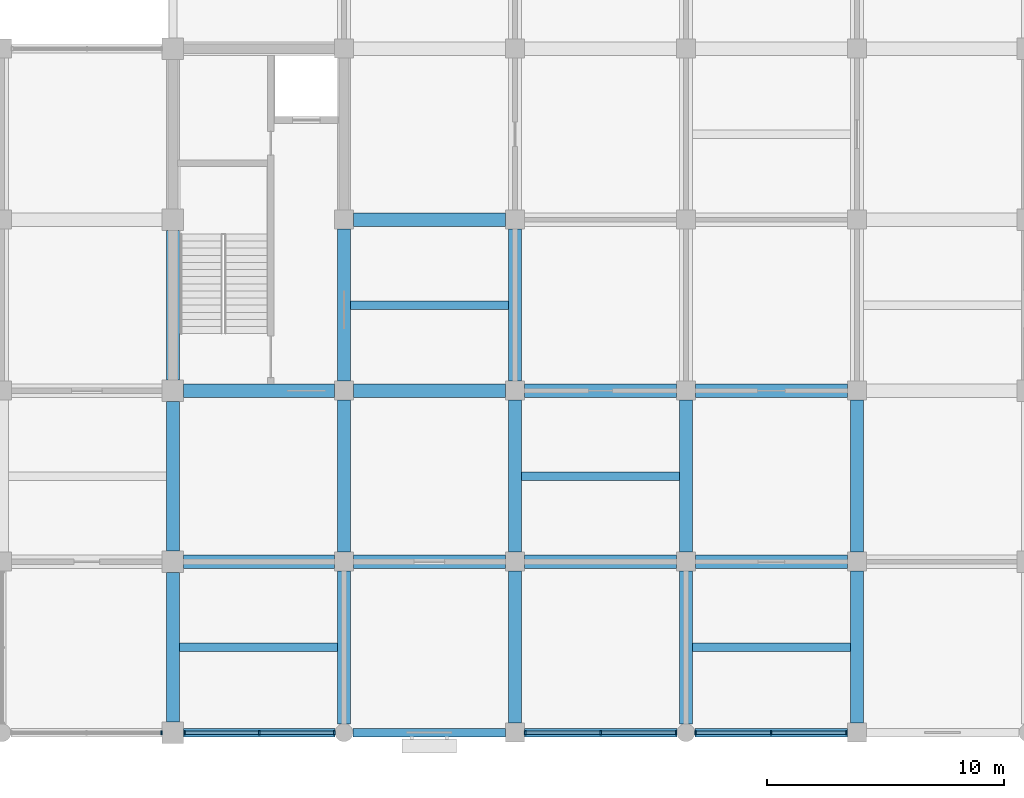
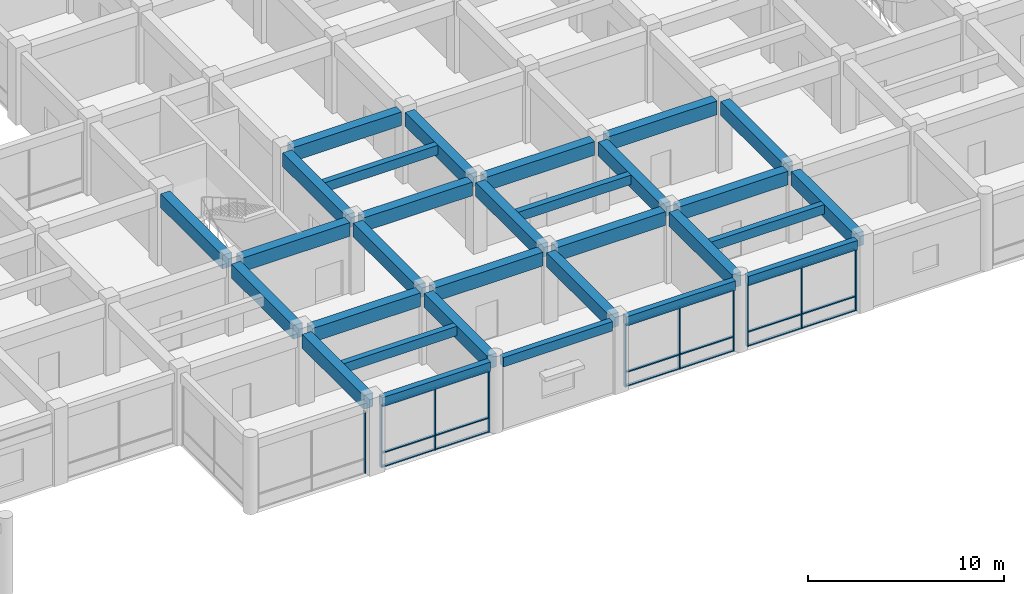
# One storey, part 10 of 75: 30 beams, 28 members, 4 elements without a shape of their own.
"""IFC4 building model written with IfcOpenShell, lengths in metres."""

from ifc_helpers import new_model, si_unit, direction, frame, origin, origin_2d, place, context, subcontext, project, spatial, rectangle, extrude, material, layer, layer_set, material_profile, profile_set, type_object, element, aggregate, save


model = new_model("IFC4")

# Units and contexts
model_context = context("Model", 3, precision=1e-05, world=origin(), true_north=direction((0.0, 1.0)))
body_context = subcontext(model_context, "Body", "Model", "MODEL_VIEW")
ifc_project = project(units=[si_unit("LENGTHUNIT", "METRE"), si_unit("AREAUNIT", "SQUARE_METRE"), si_unit("VOLUMEUNIT", "CUBIC_METRE"), si_unit("PLANEANGLEUNIT", "RADIAN"), si_unit("MASSUNIT", "GRAM", prefix="KILO")], contexts=[model_context])

# Site, building, storey
site_placement = place(None, origin())
site = spatial("IfcSite", under=ifc_project, at=site_placement, CompositionType="ELEMENT")
building_placement = place(site_placement, origin())
building = spatial("IfcBuilding", under=site, at=building_placement, Name="Cendaluz Park School", CompositionType="ELEMENT")
storey_placement = place(building_placement, frame((0.0, 0.0, 4.800048828125)))
storey = spatial("IfcBuildingStorey", under=building, at=storey_placement, Name="L01", CompositionType="ELEMENT", Elevation=4.800048828125)

# Beams
ifc_material_1 = material(Name="Concrete C40/50", Category="concrete")
ifc_material_profile_1 = material_profile(ifc_material_1, rectangle(XDim=0.550048828125, YDim=0.85009765625, at=origin_2d()), Name="RC 550x850", Category="concrete")
ifc_profile_set_1 = profile_set([ifc_material_profile_1], Name="Concrete C40/50")
beam_type_1 = type_object("IfcBeamType", Name="BM-RC01", PredefinedType="BEAM", material=ifc_profile_set_1)
for number, where, z_axis, x_axis, name in (
    (1, (65.25, 7.199951171875, 4.0048828125), (1.0, 0.0, 0.0), (0.0, 1.0, 0.0), "BM-L01-BMRC01-0083"),
    (2, (65.25, 14.39990234375, 4.0048828125), (1.0, 0.0, 0.0), (0.0, 1.0, 0.0), "BM-L01-BMRC01-0084"),
):
    element("IfcBeam", number, at=place(storey_placement, frame(where, z_axis=z_axis, x_axis=x_axis)), inside=storey, type_object=beam_type_1, Name=name, PredefinedType="BEAM", context=body_context, shape_type="SweptSolid", body=[
        extrude(rectangle(XDim=0.550048828125, YDim=0.85009765625, at=origin_2d()), origin(), (0.0, 0.0, 1.0), 6.35009765625),
    ])
for number, where, z_axis, x_axis, name in (
    (3, (72.39990234375, 7.199951171875, 4.0048828125), (1.0, 0.0, 0.0), (0.0, 1.0, 0.0), "BM-L01-BMRC01-0092"),
    (4, (72.39990234375, 14.39990234375, 4.0048828125), (1.0, 0.0, 0.0), (0.0, 1.0, 0.0), "BM-L01-BMRC01-0093"),
    (5, (72.39990234375, 21.60009765625, 4.0048828125), (1.0, 0.0, 0.0), (0.0, 1.0, 0.0), "BM-L01-BMRC01-0094"),
):
    element("IfcBeam", number, at=place(storey_placement, frame(where, z_axis=z_axis, x_axis=x_axis)), inside=storey, type_object=beam_type_1, Name=name, PredefinedType="BEAM", context=body_context, shape_type="SweptSolid", body=[
        extrude(rectangle(XDim=0.550048828125, YDim=0.85009765625, at=origin_2d()), origin(), (0.0, 0.0, 1.0), 6.400146484375),
    ])
for number, where, z_axis, x_axis, name in (
    (6, (79.60009765625, 7.199951171875, 4.0048828125), (1.0, 0.0, 0.0), (0.0, 1.0, 0.0), "BM-L01-BMRC01-0103"),
    (7, (79.60009765625, 14.39990234375, 4.0048828125), (1.0, 0.0, 0.0), (0.0, 1.0, 0.0), "BM-L01-BMRC01-0104"),
    (8, (86.800048828125, 7.199951171875, 4.0048828125), (1.0, 0.0, 0.0), (0.0, 1.0, 0.0), "BM-L01-BMRC01-0114"),
    (9, (86.800048828125, 14.39990234375, 4.0048828125), (1.0, 0.0, 0.0), (0.0, 1.0, 0.0), "BM-L01-BMRC01-0115"),
):
    element("IfcBeam", number, at=place(storey_placement, frame(where, z_axis=z_axis, x_axis=x_axis)), inside=storey, type_object=beam_type_1, Name=name, PredefinedType="BEAM", context=body_context, shape_type="SweptSolid", body=[
        extrude(rectangle(XDim=0.550048828125, YDim=0.85009765625, at=origin_2d()), origin(), (0.0, 0.0, 1.0), 6.39990234375),
    ])
for number, where, z_axis, x_axis, name in (
    (10, (64.800048828125, 0.449951171875, 4.0048828125), (0.0, 1.0, 0.0), (-1.0, 0.0, 0.0), "BM-L01-BMRC01-0310"),
    (11, (64.800048828125, 7.64990234375, 4.0048828125), (0.0, 1.0, 0.0), (-1.0, 0.0, 0.0), "BM-L01-BMRC01-0311"),
):
    element("IfcBeam", number, at=place(storey_placement, frame(where, z_axis=z_axis, x_axis=x_axis)), inside=storey, type_object=beam_type_1, Name=name, PredefinedType="BEAM", context=body_context, shape_type="SweptSolid", body=[
        extrude(rectangle(XDim=0.550048828125, YDim=0.85009765625, at=origin_2d()), origin(), (0.0, 0.0, 1.0), 6.300048828125),
    ])
beam_1_placement = place(storey_placement, frame((64.800048828125, 14.85009765625, 4.0048828125), z_axis=(0.0, 1.0, 0.0), x_axis=(-1.0, 0.0, 0.0)))
element("IfcBeam", 12, at=beam_1_placement, inside=storey, type_object=beam_type_1, Name="BM-L01-BMRC01-0312", PredefinedType="BEAM", context=body_context, shape_type="SweptSolid", body=[
    extrude(rectangle(XDim=0.550048828125, YDim=0.85009765625, at=origin_2d()), origin(), (0.0, 0.0, 1.0), 6.2998046875),
])
beam_2_placement = place(storey_placement, frame((72.0, 0.375, 4.0048828125), z_axis=(0.0, 1.0, 0.0), x_axis=(-1.0, 0.0, 0.0)))
element("IfcBeam", 13, at=beam_2_placement, inside=storey, type_object=beam_type_1, Name="BM-L01-BMRC01-0320", PredefinedType="BEAM", context=body_context, shape_type="SweptSolid", body=[
    extrude(rectangle(XDim=0.550048828125, YDim=0.85009765625, at=origin_2d()), origin(), (0.0, 0.0, 1.0), 6.425048828125),
])
for number, where, z_axis, x_axis, name in (
    (14, (72.0, 7.60009765625, 4.0048828125), (0.0, 1.0, 0.0), (-1.0, 0.0, 0.0), "BM-L01-BMRC01-0321"),
    (15, (72.0, 14.800048828125, 4.0048828125), (0.0, 1.0, 0.0), (-1.0, 0.0, 0.0), "BM-L01-BMRC01-0322"),
):
    element("IfcBeam", number, at=place(storey_placement, frame(where, z_axis=z_axis, x_axis=x_axis)), inside=storey, type_object=beam_type_1, Name=name, PredefinedType="BEAM", context=body_context, shape_type="SweptSolid", body=[
        extrude(rectangle(XDim=0.550048828125, YDim=0.85009765625, at=origin_2d()), origin(), (0.0, 0.0, 1.0), 6.39990234375),
    ])
beam_3_placement = place(storey_placement, frame((79.199951171875, 0.39990234375, 4.0048828125), z_axis=(0.0, 1.0, 0.0), x_axis=(-1.0, 0.0, 0.0)))
element("IfcBeam", 16, at=beam_3_placement, inside=storey, type_object=beam_type_1, Name="BM-L01-BMRC01-0330", PredefinedType="BEAM", context=body_context, shape_type="SweptSolid", body=[
    extrude(rectangle(XDim=0.550048828125, YDim=0.85009765625, at=origin_2d()), origin(), (0.0, 0.0, 1.0), 6.400146484375),
])
for number, where, z_axis, x_axis, name in (
    (17, (79.199951171875, 7.60009765625, 4.0048828125), (0.0, 1.0, 0.0), (-1.0, 0.0, 0.0), "BM-L01-BMRC01-0331"),
    (18, (79.199951171875, 14.800048828125, 4.0048828125), (0.0, 1.0, 0.0), (-1.0, 0.0, 0.0), "BM-L01-BMRC01-0332"),
):
    element("IfcBeam", number, at=place(storey_placement, frame(where, z_axis=z_axis, x_axis=x_axis)), inside=storey, type_object=beam_type_1, Name=name, PredefinedType="BEAM", context=body_context, shape_type="SweptSolid", body=[
        extrude(rectangle(XDim=0.550048828125, YDim=0.85009765625, at=origin_2d()), origin(), (0.0, 0.0, 1.0), 6.39990234375),
    ])
beam_4_placement = place(storey_placement, frame((86.39990234375, 0.375, 4.0048828125), z_axis=(0.0, 1.0, 0.0), x_axis=(-1.0, 0.0, 0.0)))
element("IfcBeam", 19, at=beam_4_placement, inside=storey, type_object=beam_type_1, Name="BM-L01-BMRC01-0340", PredefinedType="BEAM", context=body_context, shape_type="SweptSolid", body=[
    extrude(rectangle(XDim=0.550048828125, YDim=0.85009765625, at=origin_2d()), origin(), (0.0, 0.0, 1.0), 6.425048828125),
])
beam_5_placement = place(storey_placement, frame((86.39990234375, 7.60009765625, 4.0048828125), z_axis=(0.0, 1.0, 0.0), x_axis=(-1.0, 0.0, 0.0)))
element("IfcBeam", 20, at=beam_5_placement, inside=storey, type_object=beam_type_1, Name="BM-L01-BMRC01-0341", PredefinedType="BEAM", context=body_context, shape_type="SweptSolid", body=[
    extrude(rectangle(XDim=0.550048828125, YDim=0.85009765625, at=origin_2d()), origin(), (0.0, 0.0, 1.0), 6.39990234375),
])
beam_6_placement = place(storey_placement, frame((93.60009765625, 0.39990234375, 4.0048828125), z_axis=(0.0, 1.0, 0.0), x_axis=(-1.0, 0.0, 0.0)))
element("IfcBeam", 21, at=beam_6_placement, inside=storey, type_object=beam_type_1, Name="BM-L01-BMRC01-0350", PredefinedType="BEAM", context=body_context, shape_type="SweptSolid", body=[
    extrude(rectangle(XDim=0.550048828125, YDim=0.85009765625, at=origin_2d()), origin(), (0.0, 0.0, 1.0), 6.400146484375),
])
beam_7_placement = place(storey_placement, frame((93.60009765625, 7.60009765625, 4.0048828125), z_axis=(0.0, 1.0, 0.0), x_axis=(-1.0, 0.0, 0.0)))
element("IfcBeam", 22, at=beam_7_placement, inside=storey, type_object=beam_type_1, Name="BM-L01-BMRC01-0351", PredefinedType="BEAM", context=body_context, shape_type="SweptSolid", body=[
    extrude(rectangle(XDim=0.550048828125, YDim=0.85009765625, at=origin_2d()), origin(), (0.0, 0.0, 1.0), 6.39990234375),
])
ifc_material_profile_2 = material_profile(ifc_material_1, rectangle(XDim=0.35009765625, YDim=0.580078125, at=origin_2d()), Name="RC 350x580", Category="concrete")
ifc_profile_set_2 = profile_set([ifc_material_profile_2], Name="Concrete C40/50")
beam_type_2 = type_object("IfcBeamType", Name="BM-RC04", PredefinedType="LINTEL", material=ifc_profile_set_2)
beam_8_placement = place(storey_placement, frame((65.25, 0.0, 4.139892578125), z_axis=(1.0, 0.0, 0.0), x_axis=(0.0, 1.0, 0.0)))
element("IfcBeam", 23, at=beam_8_placement, inside=storey, type_object=beam_type_2, Name="BM-L01-BMRC04-0082", PredefinedType="LINTEL", context=body_context, shape_type="SweptSolid", body=[
    extrude(rectangle(XDim=0.35009765625, YDim=0.580078125, at=origin_2d()), origin(), (0.0, 0.0, 1.0), 6.375),
])
beam_9_placement = place(storey_placement, frame((72.375, 0.0, 4.139892578125), z_axis=(1.0, 0.0, 0.0), x_axis=(0.0, 1.0, 0.0)))
element("IfcBeam", 24, at=beam_9_placement, inside=storey, type_object=beam_type_2, Name="BM-L01-BMRC04-0091", PredefinedType="LINTEL", context=body_context, shape_type="SweptSolid", body=[
    extrude(rectangle(XDim=0.35009765625, YDim=0.580078125, at=origin_2d()), origin(), (0.0, 0.0, 1.0), 6.425048828125),
])
beam_10_placement = place(storey_placement, frame((79.60009765625, 0.0, 4.139892578125), z_axis=(1.0, 0.0, 0.0), x_axis=(0.0, 1.0, 0.0)))
element("IfcBeam", 25, at=beam_10_placement, inside=storey, type_object=beam_type_2, Name="BM-L01-BMRC04-0102", PredefinedType="LINTEL", context=body_context, shape_type="SweptSolid", body=[
    extrude(rectangle(XDim=0.35009765625, YDim=0.580078125, at=origin_2d()), origin(), (0.0, 0.0, 1.0), 6.4248046875),
])
beam_11_placement = place(storey_placement, frame((86.77490234375, 0.0, 4.139892578125), z_axis=(1.0, 0.0, 0.0), x_axis=(0.0, 1.0, 0.0)))
element("IfcBeam", 26, at=beam_11_placement, inside=storey, type_object=beam_type_2, Name="BM-L01-BMRC04-0113", PredefinedType="LINTEL", context=body_context, shape_type="SweptSolid", body=[
    extrude(rectangle(XDim=0.35009765625, YDim=0.580078125, at=origin_2d()), origin(), (0.0, 0.0, 1.0), 6.425048828125),
])

# Curtain wall, member
ifc_material_2 = material(Name="Anodised Aluminium 6063-T6", Category="aluminium")
ifc_layer = layer(ifc_material_2, 0.179931640625)
ifc_layer_set = layer_set([ifc_layer], Name="Anodised Aluminium 6063-T6")
curtain_wall_type = type_object("IfcCurtainWallType", Name="CW-128x77", PredefinedType="NOTDEFINED", material=ifc_layer_set)
curtain_wall_1_placement = place(storey_placement, origin())
curtain_wall_1 = element("IfcCurtainWall", 27, at=curtain_wall_1_placement, inside=storey, type_object=curtain_wall_type, Name="CW-L01-036", PredefinedType="NOTDEFINED")
ifc_material_profile_3 = material_profile(ifc_material_2, rectangle(XDim=0.179931640625, YDim=0.070068359375, at=origin_2d()), Name="CWM 180x70", Category="aluminium")
ifc_profile_set_3 = profile_set([ifc_material_profile_3], Name="Anodised Aluminium 6063-T6")
member_type_1 = type_object("IfcMemberType", Name="CWM-01", PredefinedType="MULLION", material=ifc_profile_set_3)
member_1_placement = place(storey_placement, frame((64.31494140625, 0.0, 0.0), z_axis=(0.0, 0.0, 1.0), x_axis=(0.0, 1.0, 0.0)))
member_1 = element("IfcMember", 28, at=member_1_placement, type_object=member_type_1, Name="CP-L01-0458", PredefinedType="MULLION", context=body_context, shape_type="SweptSolid", body=[
    extrude(rectangle(XDim=0.179931640625, YDim=0.070068359375, at=origin_2d()), origin(), (0.0, 0.0, 1.0), 3.849853515625),
])
aggregate(curtain_wall_1, [member_1])

# Curtain wall, members
curtain_wall_2_placement = place(storey_placement, origin())
curtain_wall_2 = element("IfcCurtainWall", 29, at=curtain_wall_2_placement, inside=storey, type_object=curtain_wall_type, Name="CW-L01-039", PredefinedType="NOTDEFINED")
member_2_placement = place(storey_placement, frame((65.284912109375, 0.0, 0.0), z_axis=(0.0, 0.0, 1.0), x_axis=(0.0, 1.0, 0.0)))
member_2 = element("IfcMember", 30, at=member_2_placement, type_object=member_type_1, Name="CP-L01-0495", PredefinedType="MULLION", context=body_context, shape_type="SweptSolid", body=[
    extrude(rectangle(XDim=0.179931640625, YDim=0.070068359375, at=origin_2d()), origin(), (0.0, 0.0, 1.0), 3.849853515625),
])
member_3_placement = place(storey_placement, frame((68.4375, 0.0, 0.0), z_axis=(0.0, 0.0, 1.0), x_axis=(0.0, 1.0, 0.0)))
member_3 = element("IfcMember", 31, at=member_3_placement, type_object=member_type_1, Name="CP-L01-0496", PredefinedType="MULLION", context=body_context, shape_type="SweptSolid", body=[
    extrude(rectangle(XDim=0.179931640625, YDim=0.070068359375, at=origin_2d()), origin(), (0.0, 0.0, 1.0), 3.849853515625),
])
member_4_placement = place(storey_placement, frame((71.590087890625, 0.0, 0.0), z_axis=(0.0, 0.0, 1.0), x_axis=(0.0, 1.0, 0.0)))
member_4 = element("IfcMember", 32, at=member_4_placement, type_object=member_type_1, Name="CP-L01-0497", PredefinedType="MULLION", context=body_context, shape_type="SweptSolid", body=[
    extrude(rectangle(XDim=0.179931640625, YDim=0.070068359375, at=origin_2d()), origin(), (0.0, 0.0, 1.0), 3.849853515625),
])

curtain_wall_3_placement = place(storey_placement, origin())
curtain_wall_3 = element("IfcCurtainWall", 33, at=curtain_wall_3_placement, inside=storey, type_object=curtain_wall_type, Name="CW-L01-044", PredefinedType="NOTDEFINED")
member_5_placement = place(storey_placement, frame((79.635009765625, 0.0, 0.0), z_axis=(0.0, 0.0, 1.0), x_axis=(0.0, 1.0, 0.0)))
member_5 = element("IfcMember", 34, at=member_5_placement, type_object=member_type_1, Name="CP-L01-0560", PredefinedType="MULLION", context=body_context, shape_type="SweptSolid", body=[
    extrude(rectangle(XDim=0.179931640625, YDim=0.070068359375, at=origin_2d()), origin(), (0.0, 0.0, 1.0), 3.849853515625),
])
member_6_placement = place(storey_placement, frame((82.8125, 0.0, 0.0), z_axis=(0.0, 0.0, 1.0), x_axis=(0.0, 1.0, 0.0)))
member_6 = element("IfcMember", 35, at=member_6_placement, type_object=member_type_1, Name="CP-L01-0561", PredefinedType="MULLION", context=body_context, shape_type="SweptSolid", body=[
    extrude(rectangle(XDim=0.179931640625, YDim=0.070068359375, at=origin_2d()), origin(), (0.0, 0.0, 1.0), 3.849853515625),
])
member_7_placement = place(storey_placement, frame((85.989990234375, 0.0, 0.0), z_axis=(0.0, 0.0, 1.0), x_axis=(0.0, 1.0, 0.0)))
member_7 = element("IfcMember", 36, at=member_7_placement, type_object=member_type_1, Name="CP-L01-0562", PredefinedType="MULLION", context=body_context, shape_type="SweptSolid", body=[
    extrude(rectangle(XDim=0.179931640625, YDim=0.070068359375, at=origin_2d()), origin(), (0.0, 0.0, 1.0), 3.849853515625),
])

curtain_wall_4_placement = place(storey_placement, origin())
curtain_wall_4 = element("IfcCurtainWall", 37, at=curtain_wall_4_placement, inside=storey, type_object=curtain_wall_type, Name="CW-L01-046", PredefinedType="NOTDEFINED")
member_8_placement = place(storey_placement, frame((86.81005859375, 0.0, 0.0), z_axis=(0.0, 0.0, 1.0), x_axis=(0.0, 1.0, 0.0)))
member_8 = element("IfcMember", 38, at=member_8_placement, type_object=member_type_1, Name="CP-L01-0586", PredefinedType="MULLION", context=body_context, shape_type="SweptSolid", body=[
    extrude(rectangle(XDim=0.179931640625, YDim=0.070068359375, at=origin_2d()), origin(), (0.0, 0.0, 1.0), 3.849853515625),
])
member_9_placement = place(storey_placement, frame((89.987548828125, 0.0, 0.0), z_axis=(0.0, 0.0, 1.0), x_axis=(0.0, 1.0, 0.0)))
member_9 = element("IfcMember", 39, at=member_9_placement, type_object=member_type_1, Name="CP-L01-0587", PredefinedType="MULLION", context=body_context, shape_type="SweptSolid", body=[
    extrude(rectangle(XDim=0.179931640625, YDim=0.070068359375, at=origin_2d()), origin(), (0.0, 0.0, 1.0), 3.849853515625),
])
member_10_placement = place(storey_placement, frame((93.1650390625, 0.0, 0.0), z_axis=(0.0, 0.0, 1.0), x_axis=(0.0, 1.0, 0.0)))
member_10 = element("IfcMember", 40, at=member_10_placement, type_object=member_type_1, Name="CP-L01-0588", PredefinedType="MULLION", context=body_context, shape_type="SweptSolid", body=[
    extrude(rectangle(XDim=0.179931640625, YDim=0.070068359375, at=origin_2d()), origin(), (0.0, 0.0, 1.0), 3.849853515625),
])

# Member
ifc_material_profile_4 = material_profile(ifc_material_2, rectangle(XDim=0.139892578125, YDim=0.070068359375, at=origin_2d()), Name="CWT 140x70", Category="aluminium")
ifc_profile_set_4 = profile_set([ifc_material_profile_4], Name="Anodised Aluminium 6063-T6")
member_type_2 = type_object("IfcMemberType", Name="CWT-01", PredefinedType="USERDEFINED", material=ifc_profile_set_4)
member_11_placement = place(storey_placement, frame((65.320068359375, 0.0, 0.034912109375), z_axis=(1.0, 0.0, 0.0), x_axis=(0.0, 1.0, 0.0)))
member_11 = element("IfcMember", 41, at=member_11_placement, type_object=member_type_2, Name="CP-L01-0498", ObjectType="TRANSOM", PredefinedType="USERDEFINED", context=body_context, shape_type="SweptSolid", body=[
    extrude(rectangle(XDim=0.139892578125, YDim=0.070068359375, at=origin_2d()), origin(), (0.0, 0.0, 1.0), 3.08251953125),
])

member_12_placement = place(storey_placement, frame((65.320068359375, 0.0, 0.89990234375), z_axis=(1.0, 0.0, 0.0), x_axis=(0.0, 1.0, 0.0)))
member_12 = element("IfcMember", 42, at=member_12_placement, type_object=member_type_2, Name="CP-L01-0499", ObjectType="TRANSOM", PredefinedType="USERDEFINED", context=body_context, shape_type="SweptSolid", body=[
    extrude(rectangle(XDim=0.139892578125, YDim=0.070068359375, at=origin_2d()), origin(), (0.0, 0.0, 1.0), 3.08251953125),
])

member_13_placement = place(storey_placement, frame((65.320068359375, 0.0, 3.81494140625), z_axis=(1.0, 0.0, 0.0), x_axis=(0.0, 1.0, 0.0)))
member_13 = element("IfcMember", 43, at=member_13_placement, type_object=member_type_2, Name="CP-L01-0500", ObjectType="TRANSOM", PredefinedType="USERDEFINED", context=body_context, shape_type="SweptSolid", body=[
    extrude(rectangle(XDim=0.139892578125, YDim=0.070068359375, at=origin_2d()), origin(), (0.0, 0.0, 1.0), 3.08251953125),
])

member_14_placement = place(storey_placement, frame((68.472412109375, 0.0, 0.034912109375), z_axis=(1.0, 0.0, 0.0), x_axis=(0.0, 1.0, 0.0)))
member_14 = element("IfcMember", 44, at=member_14_placement, type_object=member_type_2, Name="CP-L01-0503", ObjectType="TRANSOM", PredefinedType="USERDEFINED", context=body_context, shape_type="SweptSolid", body=[
    extrude(rectangle(XDim=0.139892578125, YDim=0.070068359375, at=origin_2d()), origin(), (0.0, 0.0, 1.0), 3.08251953125),
])

member_15_placement = place(storey_placement, frame((68.472412109375, 0.0, 0.89990234375), z_axis=(1.0, 0.0, 0.0), x_axis=(0.0, 1.0, 0.0)))
member_15 = element("IfcMember", 45, at=member_15_placement, type_object=member_type_2, Name="CP-L01-0504", ObjectType="TRANSOM", PredefinedType="USERDEFINED", context=body_context, shape_type="SweptSolid", body=[
    extrude(rectangle(XDim=0.139892578125, YDim=0.070068359375, at=origin_2d()), origin(), (0.0, 0.0, 1.0), 3.08251953125),
])

member_16_placement = place(storey_placement, frame((68.472412109375, 0.0, 3.81494140625), z_axis=(1.0, 0.0, 0.0), x_axis=(0.0, 1.0, 0.0)))
member_16 = element("IfcMember", 46, at=member_16_placement, type_object=member_type_2, Name="CP-L01-0505", ObjectType="TRANSOM", PredefinedType="USERDEFINED", context=body_context, shape_type="SweptSolid", body=[
    extrude(rectangle(XDim=0.139892578125, YDim=0.070068359375, at=origin_2d()), origin(), (0.0, 0.0, 1.0), 3.08251953125),
])

aggregate(curtain_wall_2, [member_2, member_3, member_4, member_11, member_12, member_13, member_14, member_15, member_16])

member_17_placement = place(storey_placement, frame((79.669921875, 0.0, 0.034912109375), z_axis=(1.0, 0.0, 0.0), x_axis=(0.0, 1.0, 0.0)))
member_17 = element("IfcMember", 47, at=member_17_placement, type_object=member_type_2, Name="CP-L01-0563", ObjectType="TRANSOM", PredefinedType="USERDEFINED", context=body_context, shape_type="SweptSolid", body=[
    extrude(rectangle(XDim=0.139892578125, YDim=0.070068359375, at=origin_2d()), origin(), (0.0, 0.0, 1.0), 3.107666015625),
])

member_18_placement = place(storey_placement, frame((79.669921875, 0.0, 0.89990234375), z_axis=(1.0, 0.0, 0.0), x_axis=(0.0, 1.0, 0.0)))
member_18 = element("IfcMember", 48, at=member_18_placement, type_object=member_type_2, Name="CP-L01-0564", ObjectType="TRANSOM", PredefinedType="USERDEFINED", context=body_context, shape_type="SweptSolid", body=[
    extrude(rectangle(XDim=0.139892578125, YDim=0.070068359375, at=origin_2d()), origin(), (0.0, 0.0, 1.0), 3.107666015625),
])

member_19_placement = place(storey_placement, frame((79.669921875, 0.0, 3.81494140625), z_axis=(1.0, 0.0, 0.0), x_axis=(0.0, 1.0, 0.0)))
member_19 = element("IfcMember", 49, at=member_19_placement, type_object=member_type_2, Name="CP-L01-0565", ObjectType="TRANSOM", PredefinedType="USERDEFINED", context=body_context, shape_type="SweptSolid", body=[
    extrude(rectangle(XDim=0.139892578125, YDim=0.070068359375, at=origin_2d()), origin(), (0.0, 0.0, 1.0), 3.107666015625),
])

member_20_placement = place(storey_placement, frame((82.847412109375, 0.0, 0.034912109375), z_axis=(1.0, 0.0, 0.0), x_axis=(0.0, 1.0, 0.0)))
member_20 = element("IfcMember", 50, at=member_20_placement, type_object=member_type_2, Name="CP-L01-0568", ObjectType="TRANSOM", PredefinedType="USERDEFINED", context=body_context, shape_type="SweptSolid", body=[
    extrude(rectangle(XDim=0.139892578125, YDim=0.070068359375, at=origin_2d()), origin(), (0.0, 0.0, 1.0), 3.107666015625),
])

member_21_placement = place(storey_placement, frame((82.847412109375, 0.0, 0.89990234375), z_axis=(1.0, 0.0, 0.0), x_axis=(0.0, 1.0, 0.0)))
member_21 = element("IfcMember", 51, at=member_21_placement, type_object=member_type_2, Name="CP-L01-0569", ObjectType="TRANSOM", PredefinedType="USERDEFINED", context=body_context, shape_type="SweptSolid", body=[
    extrude(rectangle(XDim=0.139892578125, YDim=0.070068359375, at=origin_2d()), origin(), (0.0, 0.0, 1.0), 3.107666015625),
])

member_22_placement = place(storey_placement, frame((82.847412109375, 0.0, 3.81494140625), z_axis=(1.0, 0.0, 0.0), x_axis=(0.0, 1.0, 0.0)))
member_22 = element("IfcMember", 52, at=member_22_placement, type_object=member_type_2, Name="CP-L01-0570", ObjectType="TRANSOM", PredefinedType="USERDEFINED", context=body_context, shape_type="SweptSolid", body=[
    extrude(rectangle(XDim=0.139892578125, YDim=0.070068359375, at=origin_2d()), origin(), (0.0, 0.0, 1.0), 3.107666015625),
])

aggregate(curtain_wall_3, [member_5, member_6, member_7, member_17, member_18, member_19, member_20, member_21, member_22])

member_23_placement = place(storey_placement, frame((86.844970703125, 0.0, 0.034912109375), z_axis=(1.0, 0.0, 0.0), x_axis=(0.0, 1.0, 0.0)))
member_23 = element("IfcMember", 53, at=member_23_placement, type_object=member_type_2, Name="CP-L01-0589", ObjectType="TRANSOM", PredefinedType="USERDEFINED", context=body_context, shape_type="SweptSolid", body=[
    extrude(rectangle(XDim=0.139892578125, YDim=0.070068359375, at=origin_2d()), origin(), (0.0, 0.0, 1.0), 3.107421875),
])

member_24_placement = place(storey_placement, frame((86.844970703125, 0.0, 0.89990234375), z_axis=(1.0, 0.0, 0.0), x_axis=(0.0, 1.0, 0.0)))
member_24 = element("IfcMember", 54, at=member_24_placement, type_object=member_type_2, Name="CP-L01-0590", ObjectType="TRANSOM", PredefinedType="USERDEFINED", context=body_context, shape_type="SweptSolid", body=[
    extrude(rectangle(XDim=0.139892578125, YDim=0.070068359375, at=origin_2d()), origin(), (0.0, 0.0, 1.0), 3.107421875),
])

member_25_placement = place(storey_placement, frame((86.844970703125, 0.0, 3.81494140625), z_axis=(1.0, 0.0, 0.0), x_axis=(0.0, 1.0, 0.0)))
member_25 = element("IfcMember", 55, at=member_25_placement, type_object=member_type_2, Name="CP-L01-0591", ObjectType="TRANSOM", PredefinedType="USERDEFINED", context=body_context, shape_type="SweptSolid", body=[
    extrude(rectangle(XDim=0.139892578125, YDim=0.070068359375, at=origin_2d()), origin(), (0.0, 0.0, 1.0), 3.107421875),
])

member_26_placement = place(storey_placement, frame((90.0224609375, 0.0, 0.034912109375), z_axis=(1.0, 0.0, 0.0), x_axis=(0.0, 1.0, 0.0)))
member_26 = element("IfcMember", 56, at=member_26_placement, type_object=member_type_2, Name="CP-L01-0594", ObjectType="TRANSOM", PredefinedType="USERDEFINED", context=body_context, shape_type="SweptSolid", body=[
    extrude(rectangle(XDim=0.139892578125, YDim=0.070068359375, at=origin_2d()), origin(), (0.0, 0.0, 1.0), 3.107421875),
])

member_27_placement = place(storey_placement, frame((90.0224609375, 0.0, 0.89990234375), z_axis=(1.0, 0.0, 0.0), x_axis=(0.0, 1.0, 0.0)))
member_27 = element("IfcMember", 57, at=member_27_placement, type_object=member_type_2, Name="CP-L01-0595", ObjectType="TRANSOM", PredefinedType="USERDEFINED", context=body_context, shape_type="SweptSolid", body=[
    extrude(rectangle(XDim=0.139892578125, YDim=0.070068359375, at=origin_2d()), origin(), (0.0, 0.0, 1.0), 3.107421875),
])

member_28_placement = place(storey_placement, frame((90.0224609375, 0.0, 3.81494140625), z_axis=(1.0, 0.0, 0.0), x_axis=(0.0, 1.0, 0.0)))
member_28 = element("IfcMember", 58, at=member_28_placement, type_object=member_type_2, Name="CP-L01-0596", ObjectType="TRANSOM", PredefinedType="USERDEFINED", context=body_context, shape_type="SweptSolid", body=[
    extrude(rectangle(XDim=0.139892578125, YDim=0.070068359375, at=origin_2d()), origin(), (0.0, 0.0, 1.0), 3.107421875),
])

aggregate(curtain_wall_4, [member_8, member_9, member_10, member_23, member_24, member_25, member_26, member_27, member_28])

# Beams
ifc_material_profile_5 = material_profile(ifc_material_1, rectangle(XDim=0.35009765625, YDim=0.580078125, at=origin_2d()), Name="RC 350x580", Category="concrete")
ifc_profile_set_5 = profile_set([ifc_material_profile_5], Name="Concrete C40/50")
beam_type_3 = type_object("IfcBeamType", Name="JT-RC01", PredefinedType="JOIST", material=ifc_profile_set_5)
for number, where, z_axis, x_axis, name in (
    (59, (65.074951171875, 3.60009765625, 4.139892578125), (1.0, 0.0, 0.0), (0.0, 1.0, 0.0), "BM-L01-JTRC01-0487"),
    (60, (72.27490234375, 18.0, 4.139892578125), (1.0, 0.0, 0.0), (0.0, 1.0, 0.0), "BM-L01-JTRC01-0489"),
):
    element("IfcBeam", number, at=place(storey_placement, frame(where, z_axis=z_axis, x_axis=x_axis)), inside=storey, type_object=beam_type_3, Name=name, PredefinedType="JOIST", context=body_context, shape_type="SweptSolid", body=[
        extrude(rectangle(XDim=0.35009765625, YDim=0.580078125, at=origin_2d()), origin(), (0.0, 0.0, 1.0), 6.650146484375),
    ])
for number, where, z_axis, x_axis, name in (
    (61, (79.47509765625, 10.800048828125, 4.139892578125), (1.0, 0.0, 0.0), (0.0, 1.0, 0.0), "BM-L01-JTRC01-0492"),
    (62, (86.675048828125, 3.60009765625, 4.139892578125), (1.0, 0.0, 0.0), (0.0, 1.0, 0.0), "BM-L01-JTRC01-0495"),
):
    element("IfcBeam", number, at=place(storey_placement, frame(where, z_axis=z_axis, x_axis=x_axis)), inside=storey, type_object=beam_type_3, Name=name, PredefinedType="JOIST", context=body_context, shape_type="SweptSolid", body=[
        extrude(rectangle(XDim=0.35009765625, YDim=0.580078125, at=origin_2d()), origin(), (0.0, 0.0, 1.0), 6.64990234375),
    ])

save(model, "model.ifc")
